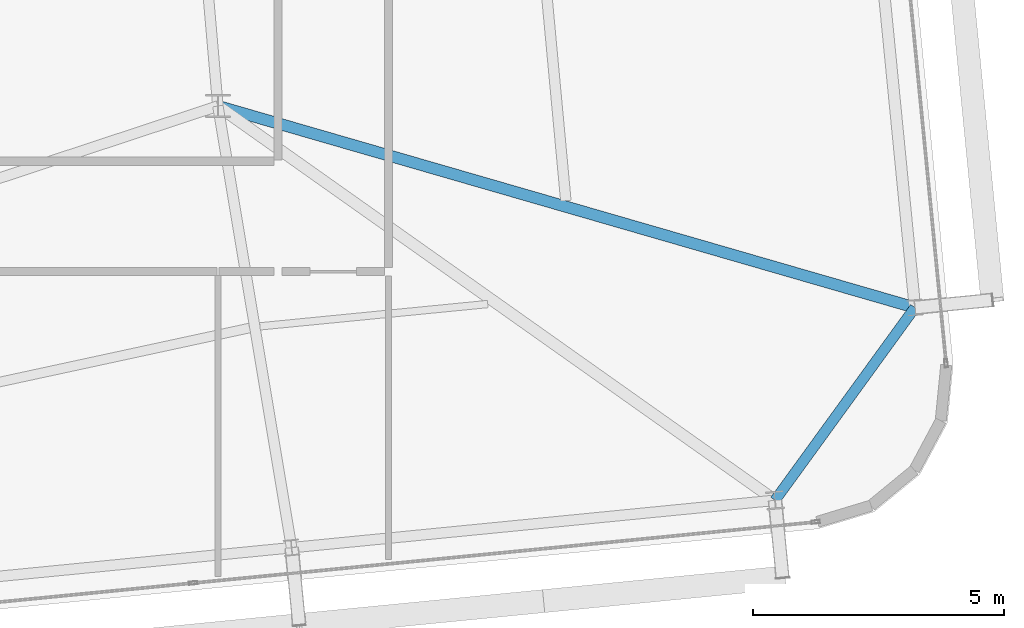
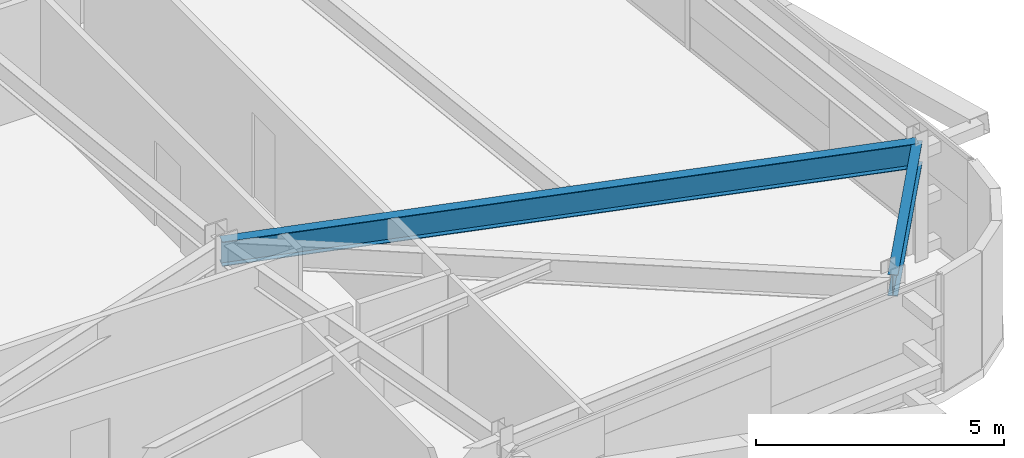
# One storey, part 18 of 47: 2 beams.
"""IFC4 building model written with IfcOpenShell, lengths in metres."""

from ifc_helpers import new_model, si_unit, direction, frame, origin, origin_2d, place, context, subcontext, project, spatial, i_section, extrude, source, transform, mapped, material, material_profile, profile_set, type_object, element, save


model = new_model("IFC4")

# Units and contexts
model_context = context("Model", 3, precision=1e-05, world=origin(), true_north=direction((0.0, 1.0)))
body_context = subcontext(model_context, "Body", "Model", "MODEL_VIEW")
ifc_project = project(units=[si_unit("LENGTHUNIT", "METRE"), si_unit("AREAUNIT", "SQUARE_METRE"), si_unit("VOLUMEUNIT", "CUBIC_METRE"), si_unit("PLANEANGLEUNIT", "RADIAN"), si_unit("MASSUNIT", "GRAM", prefix="KILO")], contexts=[model_context])

# Site, building, storey
site_placement = place(None, origin())
site = spatial("IfcSite", under=ifc_project, at=site_placement, CompositionType="ELEMENT")
building_placement = place(site_placement, origin())
building = spatial("IfcBuilding", under=site, at=building_placement, Name="Taldren Reach Tower", CompositionType="ELEMENT")
storey_placement = place(building_placement, frame((0.0, 0.0, 109.199951171875)))
storey = spatial("IfcBuildingStorey", under=building, at=storey_placement, Name="L33", CompositionType="ELEMENT", Elevation=109.199951171875)

# Beams
ifc_material = material(Name="Steel Gr 350 (350PLUS)", Category="steel")
ifc_material_profile_1 = material_profile(ifc_material, i_section(OverallWidth=0.208984375, OverallDepth=0.528076171875, WebThickness=0.009521484375, FlangeThickness=0.01318359375, at=origin_2d()), Name="530UB82.0")
ifc_profile_set_1 = profile_set([ifc_material_profile_1], Name="Steel Gr 350 (350PLUS)")
beam_type_1 = type_object("IfcBeamType", Name="SP-UB530B", PredefinedType="SPANDREL", material=ifc_profile_set_1)
shared_shape_1 = source(origin(), body_context, "Body", "SweptSolid", [
    extrude(i_section(OverallWidth=0.208984375, OverallDepth=0.528076171875, WebThickness=0.009521484375, FlangeThickness=0.01318359375, at=origin_2d()), origin(), (0.0, 0.0, 1.0), 4.74609375),
])
beam_1_placement = place(storey_placement, frame((63.103271484375, 4.64306640625, 2.60595703125), z_axis=(0.58750777154, 0.809218523255, 0.0), x_axis=(-0.809218523255, 0.58750777154, 0.0)))
element("IfcBeam", 1, at=beam_1_placement, inside=storey, type_object=beam_type_1, Name="Perimeter spandrel B2 S6-E1 L33", PredefinedType="SPANDREL", context=body_context, shape_type="MappedRepresentation", body=[
    mapped(shared_shape_1, transform((0.0, 0.0, 0.0), scale=1.0)),
])
ifc_material_profile_2 = material_profile(ifc_material, i_section(OverallWidth=0.22802734375, OverallDepth=0.60205078125, WebThickness=0.010498046875, FlangeThickness=0.014892578125, at=origin_2d()), Name="610UB101")
ifc_profile_set_2 = profile_set([ifc_material_profile_2], Name="Steel Gr 350 (350PLUS)")
beam_type_2 = type_object("IfcBeamType", Name="BM-UB610B", PredefinedType="BEAM", material=ifc_profile_set_2)
shared_shape_2 = source(origin(), body_context, "Body", "SweptSolid", [
    extrude(i_section(OverallWidth=0.22802734375, OverallDepth=0.60205078125, WebThickness=0.010498046875, FlangeThickness=0.014892578125, at=origin_2d()), origin(), (0.0, 0.0, 1.0), 14.46044921875),
])
beam_2_placement = place(storey_placement, frame((52.0, 12.5, 2.569091796875), z_axis=(0.960654638583, -0.277745684698, 0.0), x_axis=(0.277745684698, 0.960654638583, 0.0)))
element("IfcBeam", 2, at=beam_2_placement, inside=storey, type_object=beam_type_2, Name="Primary floor girder B2-E1 L33", PredefinedType="BEAM", context=body_context, shape_type="MappedRepresentation", body=[
    mapped(shared_shape_2, transform((0.0, 0.0, 0.0), scale=1.0)),
])

save(model, "model.ifc")
